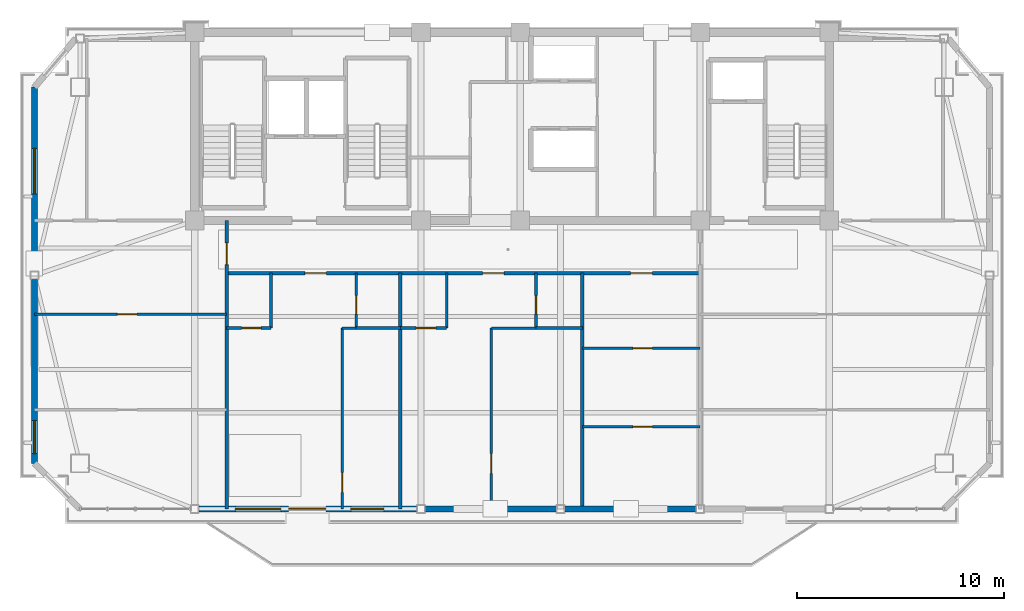
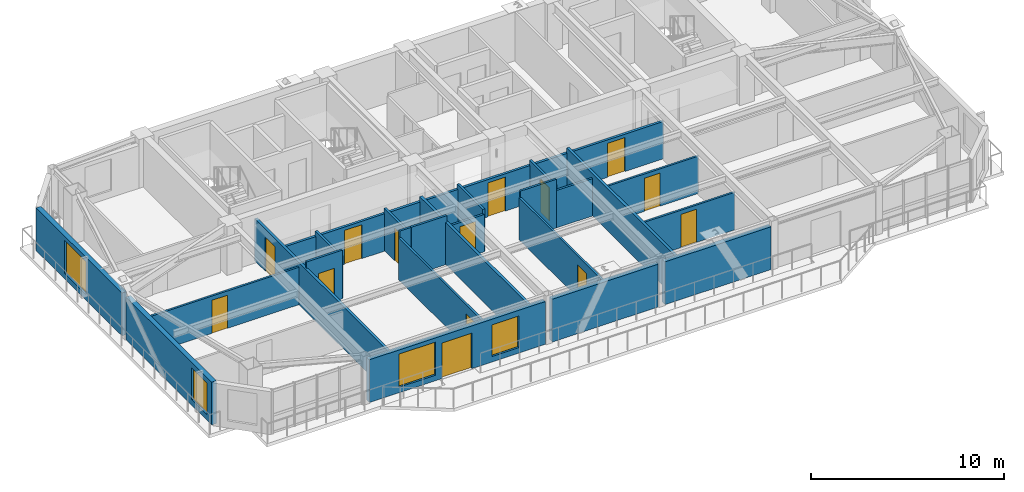
# One storey, part 6 of 13: 24 walls, 14 doors, 4 windows, 18 openings.
"""IFC4 building model written with IfcOpenShell, lengths in metres."""

import ifcopenshell
import ifcopenshell.guid

model = None  # the IFC model being written
_history = None  # IfcOwnerHistory: only IFC2X3 demands one
_inside = {}  # id of a spatial element -> (the spatial element, [elements in it])
_under = {}  # id of a project, library or spatial element -> (it, [spatial elements below it])
_declared = {}  # id of a project -> (the project, [libraries it declares])
_typed = {}  # id of a type object -> (the type object, [elements of that type])
_made_of = {}  # id of a material, layer set ... -> (it, [elements and type objects made of it])


def new_model(schema):
    """Start an empty IFC model of exactly this schema.

    Asked for "IFC4X3", IfcOpenShell would pick the latest addendum, in which some entities
    have other attributes; the version numbers below select the first issue.
    IFC2X3 requires an IfcOwnerHistory on every rooted entity: one is made here for all.
    """
    global model, _history
    if schema == "IFC4X3":
        model = ifcopenshell.file(schema_version=(4, 3, 0, 0))
    else:
        model = ifcopenshell.file(schema=schema)
    _inside.clear()
    _under.clear()
    _declared.clear()
    _typed.clear()
    _made_of.clear()
    _history = None
    if model.schema == "IFC2X3":
        org = make("IfcOrganization", Name="unknown")
        user = make(
            "IfcPersonAndOrganization",
            ThePerson=make("IfcPerson", FamilyName="unknown"),
            TheOrganization=org,
        )
        app = make(
            "IfcApplication",
            ApplicationDeveloper=org,
            Version="unknown",
            ApplicationFullName="unknown",
            ApplicationIdentifier="unknown",
        )
        _history = make(
            "IfcOwnerHistory",
            OwningUser=user,
            OwningApplication=app,
            ChangeAction="ADDED",
            CreationDate=0,
        )
    return model


def make(cls, **values):
    """One entity of the class cls with the attributes given. An attribute that is None is left unset."""
    return model.create_entity(
        cls, **{name: value for name, value in values.items() if value is not None}
    )


def rooted(cls, **values):
    """An entity with a GlobalId (a new one), such as an element, a storey or a relation."""
    return make(cls, GlobalId=ifcopenshell.guid.new(), OwnerHistory=_history, **values)


def si_unit(unit_type, name, prefix=None):
    """IfcSIUnit, for example si_unit("LENGTHUNIT", "METRE", prefix="MILLI")."""
    return make("IfcSIUnit", UnitType=unit_type, Prefix=prefix, Name=name)


def assignment(units):
    """IfcUnitAssignment: the units of a project."""
    return None if units is None else make("IfcUnitAssignment", Units=units)


def point(xyz):
    """IfcCartesianPoint."""
    return None if xyz is None else make("IfcCartesianPoint", Coordinates=xyz)


def direction(xyz):
    """IfcDirection."""
    return None if xyz is None else make("IfcDirection", DirectionRatios=xyz)


def frame(location, z_axis=None, x_axis=None):
    """IfcAxis2Placement3D, a coordinate frame: its origin and axes. An axis left out is left unset."""
    return make(
        "IfcAxis2Placement3D",
        Location=point(location),
        Axis=direction(z_axis),
        RefDirection=direction(x_axis),
    )


def frame_2d(location, x_axis=None):
    """IfcAxis2Placement2D, a coordinate frame in the plane: its origin and x axis."""
    return make(
        "IfcAxis2Placement2D", Location=point(location), RefDirection=direction(x_axis)
    )


def origin():
    """The frame at (0, 0, 0) with its axes left unset."""
    return frame((0.0, 0.0, 0.0))


def place(relative_to, where):
    """IfcLocalPlacement: puts the frame where relative to a parent placement (None: the world)."""
    return make(
        "IfcLocalPlacement", PlacementRelTo=relative_to, RelativePlacement=where
    )


def context(
    kind, dimensions, precision=None, world=None, true_north=None, identifier=None
):
    """IfcGeometricRepresentationContext, for example the 3D "Model" context."""
    return make(
        "IfcGeometricRepresentationContext",
        ContextIdentifier=identifier,
        ContextType=kind,
        CoordinateSpaceDimension=dimensions,
        Precision=precision,
        WorldCoordinateSystem=world,
        TrueNorth=true_north,
    )


def subcontext(parent, identifier, kind, view, scale=None):
    """IfcGeometricRepresentationSubContext, for example "Body" below "Model"."""
    return make(
        "IfcGeometricRepresentationSubContext",
        ContextIdentifier=identifier,
        ContextType=kind,
        ParentContext=parent,
        TargetScale=scale,
        TargetView=view,
    )


def project(units=None, contexts=None):
    """IfcProject with its units and contexts."""
    return rooted(
        "IfcProject",
        Name="project",
        RepresentationContexts=contexts,
        UnitsInContext=assignment(units),
    )


def spatial(cls, under=None, at=None, **own):
    """A site, building, storey or space (cls), placed at a placement, below another one or the project."""
    s = rooted(cls, ObjectPlacement=at, **own)
    if under is not None:
        _under.setdefault(under.id(), (under, []))[1].append(s)
    return s


def profile(cls, at=None, kind="AREA", **sizes):
    """A parametric profile (cls). Its sizes go by their IFC names, for example OverallWidth=200.0."""
    return make(cls, ProfileType=kind, Position=at, **sizes)


def rectangle(**sizes):
    """IfcRectangleProfileDef."""
    return profile("IfcRectangleProfileDef", **sizes)


def extrude(swept, where, along, depth):
    """IfcExtrudedAreaSolid: the profile swept, set in the frame where, extruded along a direction by depth."""
    return make(
        "IfcExtrudedAreaSolid",
        SweptArea=swept,
        Position=where,
        ExtrudedDirection=direction(along),
        Depth=depth,
    )


def shape(context_of_items, identifier, shape_type, items):
    """IfcShapeRepresentation: the items that make up one representation, for example the "Body"."""
    return make(
        "IfcShapeRepresentation",
        ContextOfItems=context_of_items,
        RepresentationIdentifier=identifier,
        RepresentationType=shape_type,
        Items=items,
    )


def source(mapping_origin, context_of_items, identifier, shape_type, items):
    """IfcRepresentationMap: a shape defined once, which mapped items show again and again."""
    return make(
        "IfcRepresentationMap",
        MappingOrigin=mapping_origin,
        MappedRepresentation=shape(context_of_items, identifier, shape_type, items),
    )


def transform(
    local_origin,
    x_axis=None,
    y_axis=None,
    z_axis=None,
    scale=None,
    scale2=None,
    scale3=None,
    uniform=True,
):
    """IfcCartesianTransformationOperator3D, or its non-uniform kind. x_axis, y_axis, z_axis: its Axis1, 2, 3."""
    if uniform:
        return make(
            "IfcCartesianTransformationOperator3D",
            Axis1=direction(x_axis),
            Axis2=direction(y_axis),
            LocalOrigin=point(local_origin),
            Scale=scale,
            Axis3=direction(z_axis),
        )
    return make(
        "IfcCartesianTransformationOperator3DnonUniform",
        Axis1=direction(x_axis),
        Axis2=direction(y_axis),
        LocalOrigin=point(local_origin),
        Scale=scale,
        Axis3=direction(z_axis),
        Scale2=scale2,
        Scale3=scale3,
    )


def mapped(mapping_source, mapping_target):
    """IfcMappedItem: shows the shape of a source again, moved by a transform."""
    return make(
        "IfcMappedItem", MappingSource=mapping_source, MappingTarget=mapping_target
    )


def material(Name=None, Category=None):
    """IfcMaterial."""
    return make("IfcMaterial", Name=Name, Category=Category)


def layer(
    of_material, thickness, ventilated=None, Name=None, Category=None, Priority=None
):
    """IfcMaterialLayer: one layer of a wall or slab, of a material (None: an air gap)."""
    return make(
        "IfcMaterialLayer",
        Material=of_material,
        LayerThickness=thickness,
        IsVentilated=ventilated,
        Name=Name,
        Category=Category,
        Priority=Priority,
    )


def layer_set(layers, Name=None):
    """IfcMaterialLayerSet."""
    return make("IfcMaterialLayerSet", MaterialLayers=layers, LayerSetName=Name)


def made_of(thing, what):
    """Note that an element or type object is made of a material, layer set ...; save() writes the relation."""
    if what is not None:
        _made_of.setdefault(what.id(), (what, []))[1].append(thing)
    return thing


def type_object(cls, material=None, **own):
    """A type object (cls), such as IfcWallType, which elements share."""
    return made_of(rooted(cls, **own), material)


def element(
    cls,
    number,
    at=None,
    inside=None,
    cuts=None,
    type_object=None,
    material=None,
    context=None,
    identifier="Body",
    shape_type=None,
    held_by="IfcProductDefinitionShape",
    body=None,
    shapes=None,
    **own,
):
    """One element of the class cls, such as IfcWall. Its Tag is "e" and its number.

    at: its placement. inside: the storey or other place that contains it. cuts: it is an
    opening in that element (IfcRelVoidsElement). A single representation is given by context,
    identifier, shape_type and body (its items); several are given by shapes. held_by: the class
    of the entity that holds the representations. save() writes the other relations.
    """
    e = rooted(cls, Tag="e%d" % number, ObjectPlacement=at, **own)
    if body is not None:
        shapes = [shape(context, identifier, shape_type, body)]
    if shapes is not None:
        e.Representation = make(held_by, Representations=shapes)
    if inside is not None:
        _inside.setdefault(inside.id(), (inside, []))[1].append(e)
    if cuts is not None:
        rooted(
            "IfcRelVoidsElement", RelatingBuildingElement=cuts, RelatedOpeningElement=e
        )
    if type_object is not None:
        _typed.setdefault(type_object.id(), (type_object, []))[1].append(e)
    return made_of(e, material)


def fill(opening, filler):
    """IfcRelFillsElement: the door or window that sits in an opening."""
    return rooted(
        "IfcRelFillsElement",
        RelatingOpeningElement=opening,
        RelatedBuildingElement=filler,
    )


def aggregate(whole, parts):
    """IfcRelAggregates: a whole, such as a stair, and the parts it consists of."""
    return rooted("IfcRelAggregates", RelatingObject=whole, RelatedObjects=parts)


def save(model, path):
    """Write the relations noted so far, then the file.

    IfcRelAggregates (storeys below a building ...), IfcRelContainedInSpatialStructure (elements
    in a storey), IfcRelDefinesByType, IfcRelAssociatesMaterial and IfcRelDeclares: one each for
    every whole, place, type object, material and project.
    """
    for whole, parts in _under.values():
        aggregate(whole, parts)
    for where, things in _inside.values():
        rooted(
            "IfcRelContainedInSpatialStructure",
            RelatedElements=things,
            RelatingStructure=where,
        )
    for kind, things in _typed.values():
        rooted("IfcRelDefinesByType", RelatedObjects=things, RelatingType=kind)
    for what, things in _made_of.values():
        rooted("IfcRelAssociatesMaterial", RelatedObjects=things, RelatingMaterial=what)
    for by, libraries in _declared.values():
        rooted("IfcRelDeclares", RelatingContext=by, RelatedDefinitions=libraries)
    model.write(path)


model = new_model("IFC4")

# Units and contexts
model_context = context("Model", 3, precision=1e-05, world=origin(), true_north=direction((0.0, 1.0)))
body_context = subcontext(model_context, "Body", "Model", "MODEL_VIEW")
ifc_project = project(units=[si_unit("LENGTHUNIT", "METRE"), si_unit("AREAUNIT", "SQUARE_METRE"), si_unit("VOLUMEUNIT", "CUBIC_METRE"), si_unit("PLANEANGLEUNIT", "RADIAN"), si_unit("MASSUNIT", "GRAM", prefix="KILO")], contexts=[model_context])

# Site, building, storey
site_placement = place(None, origin())
site = spatial("IfcSite", under=ifc_project, at=site_placement, CompositionType="ELEMENT")
building_placement = place(site_placement, origin())
building = spatial("IfcBuilding", under=site, at=building_placement, Name="Giltprow Tower", CompositionType="ELEMENT")
storey_placement = place(building_placement, frame((0.0, 0.0, 349.300048828125)))
storey = spatial("IfcBuildingStorey", under=building, at=storey_placement, Name="L91", CompositionType="ELEMENT", Elevation=349.300048828125)

# Wall, openings, windows, door
ifc_material_1 = material(Name="Precast concrete C40", Category="concrete")
ifc_layer_1 = layer(ifc_material_1, 0.280029296875, Name="Precast concrete C40")
ifc_layer_set_1 = layer_set([ifc_layer_1], Name="Precast concrete C40")
wall_type_1 = type_object("IfcWallType", Name="EW-TOW-BRONZE-280", PredefinedType="SOLIDWALL", material=ifc_layer_set_1)
wall_1_placement = place(storey_placement, frame((20.050048828125, 23.5, 0.0), z_axis=(0.0, 0.0, 1.0), x_axis=(1.0, 0.0, 0.0)))
wall_1 = element("IfcWall", 1, at=wall_1_placement, inside=storey, type_object=wall_type_1, Name="L91 South Expressed Frame Wall 2", PredefinedType="SOLIDWALL", context=body_context, shape_type="SweptSolid", body=[
    extrude(rectangle(XDim=10.550048828125, YDim=0.280029296875, at=frame_2d((5.27490234375, 0.0))), origin(), (0.0, 0.0, 1.0), 2.7099609375),
])
opening_1_placement = place(wall_1_placement, frame((4.35009765625, 0.0, 0.0)))
opening_1 = element("IfcOpeningElement", 2, at=opening_1_placement, cuts=wall_1, Name="Opening ED25", PredefinedType="OPENING", context=body_context, shape_type="SweptSolid", body=[
    extrude(rectangle(XDim=1.800048828125, YDim=2.25, at=frame_2d((0.89990234375, 1.125))), frame((0.0, 0.14990234375, 0.0), z_axis=(0.0, -1.0, 0.0), x_axis=(1.0, 0.0, 0.0)), (0.0, 0.0, 1.0), 0.300048828125),
])
opening_2_placement = place(wall_1_placement, frame((1.77001953125, 0.0, 0.35009765625)))
opening_2 = element("IfcOpeningElement", 3, at=opening_2_placement, cuts=wall_1, Name="Opening WN27", PredefinedType="OPENING", context=body_context, shape_type="SweptSolid", body=[
    extrude(rectangle(XDim=2.199951171875, YDim=2.10009765625, at=frame_2d((1.10009765625, 1.050048828125))), frame((0.0, 0.14990234375, 0.0), z_axis=(0.0, -1.0, 0.0), x_axis=(1.0, 0.0, 0.0)), (0.0, 0.0, 1.0), 0.300048828125),
])
opening_3_placement = place(wall_1_placement, frame((7.35009765625, 0.0, 0.35009765625)))
opening_3 = element("IfcOpeningElement", 4, at=opening_3_placement, cuts=wall_1, Name="Opening WN17", PredefinedType="OPENING", context=body_context, shape_type="SweptSolid", body=[
    extrude(rectangle(XDim=1.60009765625, YDim=2.0, at=frame_2d((0.800048828125, 1.0))), frame((0.0, 0.14990234375, 0.0), z_axis=(0.0, -1.0, 0.0), x_axis=(1.0, 0.0, 0.0)), (0.0, 0.0, 1.0), 0.300048828125),
])
ifc_material_2 = material(Name="Insulated glass", Category="glass")
window_type_1 = type_object("IfcWindowType", Name="WN-COR-1600x2000", PartitioningType="SINGLE_PANEL", PredefinedType="WINDOW", material=ifc_material_2)
shared_shape_1 = source(origin(), body_context, "Body", "SweptSolid", [
    extrude(rectangle(XDim=1.60009765625, YDim=2.0, at=frame_2d((0.800048828125, 1.0))), frame((0.0, 0.030029296875, 0.0), z_axis=(0.0, -1.0, 0.0), x_axis=(1.0, 0.0, 0.0)), (0.0, 0.0, 1.0), 0.06005859375),
])
window_1_placement = place(opening_3_placement, origin())
window_1 = element("IfcWindow", 5, at=window_1_placement, inside=storey, type_object=window_type_1, Name="L91 South Window 2B", OverallHeight=2.0, OverallWidth=1.60009765625, PartitioningType="SINGLE_PANEL", PredefinedType="WINDOW", context=body_context, shape_type="MappedRepresentation", body=[
    mapped(shared_shape_1, transform((0.0, 0.0, 0.0), x_axis=(1.0, 0.0, 0.0), y_axis=(0.0, 1.0, 0.0), z_axis=(0.0, 0.0, 1.0), scale=1.0)),
])
fill(opening_3, window_1)
ifc_material_3 = material(Name="Anodized bronze and glass", Category="glass")
door_type_1 = type_object("IfcDoorType", Name="DR-BALC-SLIDE-1800", OperationType="SLIDING_TO_LEFT", PredefinedType="DOOR", material=ifc_material_3)
shared_shape_2 = source(origin(), body_context, "Body", "SweptSolid", [
    extrude(rectangle(XDim=1.800048828125, YDim=2.25, at=frame_2d((0.89990234375, 1.125))), frame((0.0, 0.02490234375, 0.0), z_axis=(0.0, -1.0, 0.0), x_axis=(1.0, 0.0, 0.0)), (0.0, 0.0, 1.0), 0.050048828125),
])
door_1_placement = place(opening_1_placement, origin())
door_1 = element("IfcDoor", 6, at=door_1_placement, inside=storey, type_object=door_type_1, Name="L91 Waterfront Balcony Sliding Door 1", OperationType="SLIDING_TO_LEFT", OverallHeight=2.25, OverallWidth=1.800048828125, PredefinedType="DOOR", context=body_context, shape_type="MappedRepresentation", body=[
    mapped(shared_shape_2, transform((0.0, 0.0, 0.0), x_axis=(1.0, 0.0, 0.0), y_axis=(0.0, 1.0, 0.0), z_axis=(0.0, 0.0, 1.0), scale=1.0)),
])
fill(opening_1, door_1)
window_type_2 = type_object("IfcWindowType", Name="WN-RES-2200x2100", PartitioningType="TRIPLE_PANEL_VERTICAL", PredefinedType="WINDOW", material=ifc_material_2)
shared_shape_3 = source(origin(), body_context, "Body", "SweptSolid", [
    extrude(rectangle(XDim=2.199951171875, YDim=2.10009765625, at=frame_2d((1.10009765625, 1.050048828125))), frame((0.0, 0.030029296875, 0.0), z_axis=(0.0, -1.0, 0.0), x_axis=(1.0, 0.0, 0.0)), (0.0, 0.0, 1.0), 0.06005859375),
])
window_2_placement = place(opening_2_placement, origin())
window_2 = element("IfcWindow", 7, at=window_2_placement, inside=storey, type_object=window_type_2, Name="L91 South Window 2A", OverallHeight=2.10009765625, OverallWidth=2.199951171875, PartitioningType="SINGLE_PANEL", PredefinedType="WINDOW", context=body_context, shape_type="MappedRepresentation", body=[
    mapped(shared_shape_3, transform((0.0, 0.0, 0.0), x_axis=(1.0, 0.0, 0.0), y_axis=(0.0, 1.0, 0.0), z_axis=(0.0, 0.0, 1.0), scale=1.0)),
])
fill(opening_2, window_2)

# Walls
for number, where, z_axis, x_axis, name in (
    (8, (31.0, 23.5, 0.0), (0.0, 0.0, 1.0), (1.0, 0.0, 0.0), "L91 South Expressed Frame Wall 3"),
    (9, (37.75, 23.5, 0.0), (0.0, 0.0, 1.0), (1.0, 0.0, 0.0), "L91 South Expressed Frame Wall 4"),
):
    element("IfcWall", number, at=place(storey_placement, frame(where, z_axis=z_axis, x_axis=x_axis)), inside=storey, type_object=wall_type_1, Name=name, PredefinedType="SOLIDWALL", context=body_context, shape_type="SweptSolid", body=[
        extrude(rectangle(XDim=6.35009765625, YDim=0.280029296875, at=frame_2d((3.175048828125, 0.0))), origin(), (0.0, 0.0, 1.0), 2.7099609375),
    ])

# Wall, opening, window
wall_2_placement = place(storey_placement, frame((12.10009765625, 25.699951171875, 0.0), z_axis=(0.0, 0.0, 1.0), x_axis=(0.0, 1.0, 0.0)))
wall_2 = element("IfcWall", 10, at=wall_2_placement, inside=storey, type_object=wall_type_1, Name="L91 W Wing Masonry Wall 1", PredefinedType="SOLIDWALL", context=body_context, shape_type="SweptSolid", body=[
    extrude(rectangle(XDim=8.900146484375, YDim=0.280029296875, at=frame_2d((4.4501953125, 0.0))), origin(), (0.0, 0.0, 1.0), 2.7099609375),
])
opening_4_placement = place(wall_2_placement, frame((0.468017578125, 0.0, 0.35009765625)))
opening_4 = element("IfcOpeningElement", 11, at=opening_4_placement, cuts=wall_2, Name="Opening WN17", PredefinedType="OPENING", context=body_context, shape_type="SweptSolid", body=[
    extrude(rectangle(XDim=1.60009765625, YDim=2.0, at=frame_2d((0.800048828125, 1.0))), frame((0.0, 0.14990234375, 0.0), z_axis=(0.0, -1.0, 0.0), x_axis=(1.0, 0.0, 0.0)), (0.0, 0.0, 1.0), 0.300048828125),
])
window_3_placement = place(opening_4_placement, origin())
window_3 = element("IfcWindow", 12, at=window_3_placement, inside=storey, type_object=window_type_1, Name="L91 W Wing Window 1-1", OverallHeight=2.0, OverallWidth=1.60009765625, PartitioningType="SINGLE_PANEL", PredefinedType="WINDOW", context=body_context, shape_type="MappedRepresentation", body=[
    mapped(shared_shape_1, transform((0.0, 0.0, 0.0), x_axis=(1.0, 0.0, 0.0), y_axis=(0.0, 1.0, 0.0), z_axis=(0.0, 0.0, 1.0), scale=1.0)),
])
fill(opening_4, window_3)

wall_3_placement = place(storey_placement, frame((12.10009765625, 35.0, 0.0), z_axis=(0.0, 0.0, 1.0), x_axis=(0.0, 1.0, 0.0)))
wall_3 = element("IfcWall", 13, at=wall_3_placement, inside=storey, type_object=wall_type_1, Name="L91 W Wing Masonry Wall 2", PredefinedType="SOLIDWALL", context=body_context, shape_type="SweptSolid", body=[
    extrude(rectangle(XDim=8.89990234375, YDim=0.280029296875, at=frame_2d((4.449951171875, 0.0))), origin(), (0.0, 0.0, 1.0), 2.7099609375),
])
opening_5_placement = place(wall_3_placement, frame((3.73388671875, 0.0, 0.35009765625)))
opening_5 = element("IfcOpeningElement", 14, at=opening_5_placement, cuts=wall_3, Name="Opening WN27", PredefinedType="OPENING", context=body_context, shape_type="SweptSolid", body=[
    extrude(rectangle(XDim=2.199951171875, YDim=2.10009765625, at=frame_2d((1.10009765625, 1.050048828125))), frame((0.0, 0.14990234375, 0.0), z_axis=(0.0, -1.0, 0.0), x_axis=(1.0, 0.0, 0.0)), (0.0, 0.0, 1.0), 0.300048828125),
])
window_4_placement = place(opening_5_placement, origin())
window_4 = element("IfcWindow", 15, at=window_4_placement, inside=storey, type_object=window_type_2, Name="L91 W Wing Window 2-1", OverallHeight=2.10009765625, OverallWidth=2.199951171875, PartitioningType="SINGLE_PANEL", PredefinedType="WINDOW", context=body_context, shape_type="MappedRepresentation", body=[
    mapped(shared_shape_3, transform((0.0, 0.0, 0.0), x_axis=(1.0, 0.0, 0.0), y_axis=(0.0, 1.0, 0.0), z_axis=(0.0, 0.0, 1.0), scale=1.0)),
])
fill(opening_5, window_4)

# Wall, openings, doors
ifc_material_4 = material(Name="Gypsum stud partition", Category="gypsum")
ifc_layer_2 = layer(ifc_material_4, 0.14990234375, Name="Gypsum stud partition")
ifc_layer_set_2 = layer_set([ifc_layer_2], Name="Gypsum stud partition")
wall_type_2 = type_object("IfcWallType", Name="IW-CORR-150", PredefinedType="PARTITIONING", material=ifc_layer_set_2)
wall_4_placement = place(storey_placement, frame((21.39990234375, 34.89990234375, 0.0), z_axis=(0.0, 0.0, 1.0), x_axis=(1.0, 0.0, 0.0)))
wall_4 = element("IfcWall", 16, at=wall_4_placement, inside=storey, type_object=wall_type_2, Name="L91 Residence Gallery Corridor Wall", PredefinedType="PARTITIONING", context=body_context, shape_type="SweptSolid", body=[
    extrude(rectangle(XDim=22.900146484375, YDim=0.14990234375, at=frame_2d((11.4501953125, 0.0))), origin(), (0.0, 0.0, 1.0), 2.364990234375),
])
opening_6_placement = place(wall_4_placement, frame((3.77490234375, 0.0, 0.0)))
opening_6 = element("IfcOpeningElement", 17, at=opening_6_placement, cuts=wall_4, Name="Opening ID31", PredefinedType="OPENING", context=body_context, shape_type="SweptSolid", body=[
    extrude(rectangle(XDim=1.050048828125, YDim=2.14990234375, at=frame_2d((0.52490234375, 1.074951171875))), frame((0.0, 0.0849609375, 0.0), z_axis=(0.0, -1.0, 0.0), x_axis=(1.0, 0.0, 0.0)), (0.0, 0.0, 1.0), 0.169921875),
])
opening_7_placement = place(wall_4_placement, frame((12.375, 0.0, 0.0)))
opening_7 = element("IfcOpeningElement", 18, at=opening_7_placement, cuts=wall_4, Name="Opening ID31", PredefinedType="OPENING", context=body_context, shape_type="SweptSolid", body=[
    extrude(rectangle(XDim=1.050048828125, YDim=2.14990234375, at=frame_2d((0.52490234375, 1.074951171875))), frame((0.0, 0.0849609375, 0.0), z_axis=(0.0, -1.0, 0.0), x_axis=(1.0, 0.0, 0.0)), (0.0, 0.0, 1.0), 0.169921875),
])
opening_8_placement = place(wall_4_placement, frame((19.534912109375, 0.0, 0.0)))
opening_8 = element("IfcOpeningElement", 19, at=opening_8_placement, cuts=wall_4, Name="Opening ID31", PredefinedType="OPENING", context=body_context, shape_type="SweptSolid", body=[
    extrude(rectangle(XDim=1.050048828125, YDim=2.14990234375, at=frame_2d((0.52490234375, 1.074951171875))), frame((0.0, 0.0849609375, 0.0), z_axis=(0.0, -1.0, 0.0), x_axis=(1.0, 0.0, 0.0)), (0.0, 0.0, 1.0), 0.169921875),
])
ifc_material_5 = material(Name="Engineered timber", Category="wood")
door_type_2 = type_object("IfcDoorType", Name="DR-SUITE-1050", OperationType="SINGLE_SWING_LEFT", PredefinedType="DOOR", material=ifc_material_5)
shared_shape_4 = source(origin(), body_context, "Body", "SweptSolid", [
    extrude(rectangle(XDim=1.050048828125, YDim=2.14990234375, at=frame_2d((0.52490234375, 1.074951171875))), frame((0.0, 0.02490234375, 0.0), z_axis=(0.0, -1.0, 0.0), x_axis=(1.0, 0.0, 0.0)), (0.0, 0.0, 1.0), 0.050048828125),
])
door_2_placement = place(opening_6_placement, origin())
door_2 = element("IfcDoor", 20, at=door_2_placement, inside=storey, type_object=door_type_2, Name="L91 Unit 1 Entrance Door", OperationType="SINGLE_SWING_LEFT", OverallHeight=2.14990234375, OverallWidth=1.050048828125, PredefinedType="DOOR", context=body_context, shape_type="MappedRepresentation", body=[
    mapped(shared_shape_4, transform((0.0, 0.0, 0.0), x_axis=(1.0, 0.0, 0.0), y_axis=(0.0, 1.0, 0.0), z_axis=(0.0, 0.0, 1.0), scale=1.0)),
])
fill(opening_6, door_2)
door_3_placement = place(opening_7_placement, origin())
door_3 = element("IfcDoor", 21, at=door_3_placement, inside=storey, type_object=door_type_2, Name="L91 Unit 2 Entrance Door", OperationType="SINGLE_SWING_LEFT", OverallHeight=2.14990234375, OverallWidth=1.050048828125, PredefinedType="DOOR", context=body_context, shape_type="MappedRepresentation", body=[
    mapped(shared_shape_4, transform((0.0, 0.0, 0.0), x_axis=(1.0, 0.0, 0.0), y_axis=(0.0, 1.0, 0.0), z_axis=(0.0, 0.0, 1.0), scale=1.0)),
])
fill(opening_7, door_3)
door_4_placement = place(opening_8_placement, origin())
door_4 = element("IfcDoor", 22, at=door_4_placement, inside=storey, type_object=door_type_2, Name="L91 Residents Sky Club Lounge North Door", OperationType="SINGLE_SWING_LEFT", OverallHeight=2.14990234375, OverallWidth=1.050048828125, PredefinedType="DOOR", context=body_context, shape_type="MappedRepresentation", body=[
    mapped(shared_shape_4, transform((0.0, 0.0, 0.0), x_axis=(1.0, 0.0, 0.0), y_axis=(0.0, 1.0, 0.0), z_axis=(0.0, 0.0, 1.0), scale=1.0)),
])
fill(opening_8, door_4)

# Wall, opening, door
ifc_layer_3 = layer(ifc_material_4, 0.159912109375, Name="Gypsum stud partition")
ifc_layer_set_3 = layer_set([ifc_layer_3], Name="Gypsum stud partition")
wall_type_3 = type_object("IfcWallType", Name="IW-DEMISE-160", PredefinedType="PARTITIONING", material=ifc_layer_set_3)
wall_5_placement = place(storey_placement, frame((21.39990234375, 23.5, 0.0), z_axis=(0.0, 0.0, 1.0), x_axis=(0.0, 1.0, 0.0)))
wall_5 = element("IfcWall", 23, at=wall_5_placement, inside=storey, type_object=wall_type_3, Name="L91 Apartment Party Wall 1", PredefinedType="PARTITIONING", context=body_context, shape_type="SweptSolid", body=[
    extrude(rectangle(XDim=13.949951171875, YDim=0.159912109375, at=frame_2d((6.97509765625, 0.0))), origin(), (0.0, 0.0, 1.0), 2.6650390625),
])
opening_9_placement = place(wall_5_placement, frame((11.820068359375, 0.0, 0.0)))
opening_9 = element("IfcOpeningElement", 24, at=opening_9_placement, cuts=wall_5, Name="Opening ID31", PredefinedType="OPENING", context=body_context, shape_type="SweptSolid", body=[
    extrude(rectangle(XDim=1.050048828125, YDim=2.14990234375, at=frame_2d((0.52490234375, 1.074951171875))), frame((0.0, 0.08984375, 0.0), z_axis=(0.0, -1.0, 0.0), x_axis=(1.0, 0.0, 0.0)), (0.0, 0.0, 1.0), 0.179931640625),
])
door_5_placement = place(opening_9_placement, origin())
door_5 = element("IfcDoor", 25, at=door_5_placement, inside=storey, type_object=door_type_2, Name="L91 Penthouse Briefing Meeting Room 1 Corridor End Door", OperationType="SINGLE_SWING_RIGHT", OverallHeight=2.14990234375, OverallWidth=1.050048828125, PredefinedType="DOOR", context=body_context, shape_type="MappedRepresentation", body=[
    mapped(shared_shape_4, transform((0.0, 0.0, 0.0), x_axis=(1.0, 0.0, 0.0), y_axis=(0.0, 1.0, 0.0), z_axis=(0.0, 0.0, 1.0), scale=1.0)),
])
fill(opening_9, door_5)

# Walls
for number, where, z_axis, x_axis, name in (
    (26, (29.800048828125, 23.5, 0.0), (0.0, 0.0, 1.0), (0.0, 1.0, 0.0), "L91 Apartment Party Wall 2"),
    (27, (38.60009765625, 23.5, 0.0), (0.0, 0.0, 1.0), (0.0, 1.0, 0.0), "L91 Apartment Party Wall 3"),
):
    element("IfcWall", number, at=place(storey_placement, frame(where, z_axis=z_axis, x_axis=x_axis)), inside=storey, type_object=wall_type_3, Name=name, PredefinedType="PARTITIONING", context=body_context, shape_type="SweptSolid", body=[
        extrude(rectangle(XDim=11.39990234375, YDim=0.159912109375, at=frame_2d((5.699951171875, 0.0))), origin(), (0.0, 0.0, 1.0), 2.6650390625),
    ])

# Wall, opening, door
ifc_layer_4 = layer(ifc_material_4, 0.1201171875, Name="Gypsum stud partition")
ifc_layer_set_4 = layer_set([ifc_layer_4], Name="Gypsum stud partition")
wall_type_4 = type_object("IfcWallType", Name="IW-ROOM-120", PredefinedType="PARTITIONING", material=ifc_layer_set_4)
wall_6_placement = place(storey_placement, frame((12.10009765625, 32.9140625, 0.0), z_axis=(0.0, 0.0, 1.0), x_axis=(1.0, 0.0, 0.0)))
wall_6 = element("IfcWall", 28, at=wall_6_placement, inside=storey, type_object=wall_type_4, Name="L91 Special Split 2", PredefinedType="PARTITIONING", context=body_context, shape_type="SweptSolid", body=[
    extrude(rectangle(XDim=9.2998046875, YDim=0.1201171875, at=frame_2d((4.64990234375, 0.0))), origin(), (0.0, 0.0, 1.0), 2.364990234375),
])
opening_10_placement = place(wall_6_placement, frame((4.006103515625, 0.0, 0.0)))
opening_10 = element("IfcOpeningElement", 29, at=opening_10_placement, cuts=wall_6, Name="Opening ID11", PredefinedType="OPENING", context=body_context, shape_type="SweptSolid", body=[
    extrude(rectangle(XDim=0.949951171875, YDim=2.10009765625, at=frame_2d((0.47509765625, 1.050048828125))), frame((0.0, 0.070068359375, 0.0), z_axis=(0.0, -1.0, 0.0), x_axis=(1.0, 0.0, 0.0)), (0.0, 0.0, 1.0), 0.14013671875),
])
door_type_3 = type_object("IfcDoorType", Name="DR-ROOM-950", OperationType="SINGLE_SWING_RIGHT", PredefinedType="DOOR", material=ifc_material_5)
shared_shape_5 = source(origin(), body_context, "Body", "SweptSolid", [
    extrude(rectangle(XDim=0.949951171875, YDim=2.10009765625, at=frame_2d((0.47509765625, 1.050048828125))), frame((0.0, 0.02490234375, 0.0), z_axis=(0.0, -1.0, 0.0), x_axis=(1.0, 0.0, 0.0)), (0.0, 0.0, 1.0), 0.050048828125),
])
door_6_placement = place(opening_10_placement, origin())
door_6 = element("IfcDoor", 30, at=door_6_placement, inside=storey, type_object=door_type_3, Name="L91 Penthouse Briefing Meeting Room 1 Mid Door", OperationType="SINGLE_SWING_LEFT", OverallHeight=2.10009765625, OverallWidth=0.949951171875, PredefinedType="DOOR", context=body_context, shape_type="MappedRepresentation", body=[
    mapped(shared_shape_5, transform((0.0, 0.0, 0.0), x_axis=(1.0, 0.0, 0.0), y_axis=(0.0, 1.0, 0.0), z_axis=(0.0, 0.0, 1.0), scale=1.0)),
])
fill(opening_10, door_6)

# Wall
wall_7_placement = place(storey_placement, frame((26.97998046875, 32.25, 0.0), z_axis=(0.0, 0.0, 1.0), x_axis=(1.0, 0.0, 0.0)))
element("IfcWall", 31, at=wall_7_placement, inside=storey, type_object=wall_type_4, Name="L91 Unit 1 Bedroom North Wall", PredefinedType="PARTITIONING", context=body_context, shape_type="SweptSolid", body=[
    extrude(rectangle(XDim=0.679931640625, YDim=0.1201171875, at=frame_2d((0.33984375, 0.0))), origin(), (0.0, 0.0, 1.0), 3.079833984375),
])

# Wall, opening, door
wall_8_placement = place(storey_placement, frame((26.97998046875, 23.5, 0.0), z_axis=(0.0, 0.0, 1.0), x_axis=(0.0, 1.0, 0.0)))
wall_8 = element("IfcWall", 32, at=wall_8_placement, inside=storey, type_object=wall_type_4, Name="L91 Unit 1 Bedroom Wall", PredefinedType="PARTITIONING", context=body_context, shape_type="SweptSolid", body=[
    extrude(rectangle(XDim=8.75, YDim=0.1201171875, at=frame_2d((4.375, 0.0))), origin(), (0.0, 0.0, 1.0), 2.6650390625),
])
opening_11_placement = place(wall_8_placement, frame((0.800048828125, 0.0, 0.0)))
opening_11 = element("IfcOpeningElement", 33, at=opening_11_placement, cuts=wall_8, Name="Opening ID11", PredefinedType="OPENING", context=body_context, shape_type="SweptSolid", body=[
    extrude(rectangle(XDim=0.949951171875, YDim=2.10009765625, at=frame_2d((0.47509765625, 1.050048828125))), frame((0.0, 0.070068359375, 0.0), z_axis=(0.0, -1.0, 0.0), x_axis=(1.0, 0.0, 0.0)), (0.0, 0.0, 1.0), 0.14013671875),
])
door_7_placement = place(opening_11_placement, origin())
door_7 = element("IfcDoor", 34, at=door_7_placement, inside=storey, type_object=door_type_3, Name="L91 Unit 1 Primary Bedroom Door", OperationType="SINGLE_SWING_RIGHT", OverallHeight=2.10009765625, OverallWidth=0.949951171875, PredefinedType="DOOR", context=body_context, shape_type="MappedRepresentation", body=[
    mapped(shared_shape_5, transform((0.0, 0.0, 0.0), x_axis=(1.0, 0.0, 0.0), y_axis=(0.0, 1.0, 0.0), z_axis=(0.0, 0.0, 1.0), scale=1.0)),
])
fill(opening_11, door_7)

# Wall
wall_9_placement = place(storey_placement, frame((34.199951171875, 32.25, 0.0), z_axis=(0.0, 0.0, 1.0), x_axis=(1.0, 0.0, 0.0)))
element("IfcWall", 35, at=wall_9_placement, inside=storey, type_object=wall_type_4, Name="L91 Unit 2 Bedroom North Wall", PredefinedType="PARTITIONING", context=body_context, shape_type="SweptSolid", body=[
    extrude(rectangle(XDim=2.16015625, YDim=0.1201171875, at=frame_2d((1.080078125, 0.0))), origin(), (0.0, 0.0, 1.0), 3.079833984375),
])

# Wall, opening, door
wall_10_placement = place(storey_placement, frame((34.199951171875, 23.5, 0.0), z_axis=(0.0, 0.0, 1.0), x_axis=(0.0, 1.0, 0.0)))
wall_10 = element("IfcWall", 36, at=wall_10_placement, inside=storey, type_object=wall_type_4, Name="L91 Unit 2 Bedroom Wall", PredefinedType="PARTITIONING", context=body_context, shape_type="SweptSolid", body=[
    extrude(rectangle(XDim=8.75, YDim=0.1201171875, at=frame_2d((4.375, 0.0))), origin(), (0.0, 0.0, 1.0), 2.6650390625),
])
opening_12_placement = place(wall_10_placement, frame((1.719970703125, 0.0, 0.0)))
opening_12 = element("IfcOpeningElement", 37, at=opening_12_placement, cuts=wall_10, Name="Opening ID11", PredefinedType="OPENING", context=body_context, shape_type="SweptSolid", body=[
    extrude(rectangle(XDim=0.949951171875, YDim=2.10009765625, at=frame_2d((0.47509765625, 1.050048828125))), frame((0.0, 0.070068359375, 0.0), z_axis=(0.0, -1.0, 0.0), x_axis=(1.0, 0.0, 0.0)), (0.0, 0.0, 1.0), 0.14013671875),
])
door_8_placement = place(opening_12_placement, origin())
door_8 = element("IfcDoor", 38, at=door_8_placement, inside=storey, type_object=door_type_3, Name="L91 Unit 2 Primary Bedroom Door", OperationType="SINGLE_SWING_RIGHT", OverallHeight=2.10009765625, OverallWidth=0.949951171875, PredefinedType="DOOR", context=body_context, shape_type="MappedRepresentation", body=[
    mapped(shared_shape_5, transform((0.0, 0.0, 0.0), x_axis=(1.0, 0.0, 0.0), y_axis=(0.0, 1.0, 0.0), z_axis=(0.0, 0.0, 1.0), scale=1.0)),
])
fill(opening_12, door_8)

wall_11_placement = place(storey_placement, frame((38.60009765625, 27.48095703125, 0.0), z_axis=(0.0, 0.0, 1.0), x_axis=(1.0, 0.0, 0.0)))
wall_11 = element("IfcWall", 39, at=wall_11_placement, inside=storey, type_object=wall_type_4, Name="L91 Special Split 1", PredefinedType="PARTITIONING", context=body_context, shape_type="SweptSolid", body=[
    extrude(rectangle(XDim=5.699951171875, YDim=0.1201171875, at=frame_2d((2.85009765625, 0.0))), origin(), (0.0, 0.0, 1.0), 2.364990234375),
])
opening_13_placement = place(wall_11_placement, frame((2.446044921875, 0.0, 0.0)))
opening_13 = element("IfcOpeningElement", 40, at=opening_13_placement, cuts=wall_11, Name="Opening ID11", PredefinedType="OPENING", context=body_context, shape_type="SweptSolid", body=[
    extrude(rectangle(XDim=0.949951171875, YDim=2.10009765625, at=frame_2d((0.47509765625, 1.050048828125))), frame((0.0, 0.070068359375, 0.0), z_axis=(0.0, -1.0, 0.0), x_axis=(1.0, 0.0, 0.0)), (0.0, 0.0, 1.0), 0.14013671875),
])
door_9_placement = place(opening_13_placement, origin())
door_9 = element("IfcDoor", 41, at=door_9_placement, inside=storey, type_object=door_type_3, Name="L91 Residents Sky Club Lounge South Door", OperationType="SINGLE_SWING_LEFT", OverallHeight=2.10009765625, OverallWidth=0.949951171875, PredefinedType="DOOR", context=body_context, shape_type="MappedRepresentation", body=[
    mapped(shared_shape_5, transform((0.0, 0.0, 0.0), x_axis=(1.0, 0.0, 0.0), y_axis=(0.0, 1.0, 0.0), z_axis=(0.0, 0.0, 1.0), scale=1.0)),
])
fill(opening_13, door_9)

wall_12_placement = place(storey_placement, frame((38.60009765625, 31.261962890625, 0.0), z_axis=(0.0, 0.0, 1.0), x_axis=(1.0, 0.0, 0.0)))
wall_12 = element("IfcWall", 42, at=wall_12_placement, inside=storey, type_object=wall_type_4, Name="L91 Special Split 2", PredefinedType="PARTITIONING", context=body_context, shape_type="SweptSolid", body=[
    extrude(rectangle(XDim=5.699951171875, YDim=0.1201171875, at=frame_2d((2.85009765625, 0.0))), origin(), (0.0, 0.0, 1.0), 2.364990234375),
])
opening_14_placement = place(wall_12_placement, frame((2.446044921875, 0.0, 0.0)))
opening_14 = element("IfcOpeningElement", 43, at=opening_14_placement, cuts=wall_12, Name="Opening ID11", PredefinedType="OPENING", context=body_context, shape_type="SweptSolid", body=[
    extrude(rectangle(XDim=0.949951171875, YDim=2.10009765625, at=frame_2d((0.47509765625, 1.050048828125))), frame((0.0, 0.070068359375, 0.0), z_axis=(0.0, -1.0, 0.0), x_axis=(1.0, 0.0, 0.0)), (0.0, 0.0, 1.0), 0.14013671875),
])
door_10_placement = place(opening_14_placement, origin())
door_10 = element("IfcDoor", 44, at=door_10_placement, inside=storey, type_object=door_type_3, Name="L91 Residents Sky Club Lounge Mid Door", OperationType="SINGLE_SWING_RIGHT", OverallHeight=2.10009765625, OverallWidth=0.949951171875, PredefinedType="DOOR", context=body_context, shape_type="MappedRepresentation", body=[
    mapped(shared_shape_5, transform((0.0, 0.0, 0.0), x_axis=(1.0, 0.0, 0.0), y_axis=(0.0, 1.0, 0.0), z_axis=(0.0, 0.0, 1.0), scale=1.0)),
])
fill(opening_14, door_10)

ifc_material_6 = material(Name="Concrete C30", Category="concrete")
ifc_layer_5 = layer(ifc_material_6, 0.1298828125, Name="Concrete C30")
ifc_layer_set_5 = layer_set([ifc_layer_5], Name="Concrete C30")
wall_type_5 = type_object("IfcWallType", Name="IW-WET-130", PredefinedType="PARTITIONING", material=ifc_layer_set_5)
wall_13_placement = place(storey_placement, frame((21.39990234375, 32.25, 0.0), z_axis=(0.0, 0.0, 1.0), x_axis=(1.0, 0.0, 0.0)))
wall_13 = element("IfcWall", 45, at=wall_13_placement, inside=storey, type_object=wall_type_5, Name="L91 Unit 1 Kitchen South Wall", PredefinedType="PARTITIONING", context=body_context, shape_type="SweptSolid", body=[
    extrude(rectangle(XDim=2.14013671875, YDim=0.1298828125, at=frame_2d((1.070068359375, 0.0))), origin(), (0.0, 0.0, 1.0), 3.079833984375),
])
opening_15_placement = place(wall_13_placement, frame((0.715087890625, 0.0, 0.0)))
opening_15 = element("IfcOpeningElement", 46, at=opening_15_placement, cuts=wall_13, Name="Opening ID11", PredefinedType="OPENING", context=body_context, shape_type="SweptSolid", body=[
    extrude(rectangle(XDim=0.949951171875, YDim=2.10009765625, at=frame_2d((0.47509765625, 1.050048828125))), frame((0.0, 0.074951171875, 0.0), z_axis=(0.0, -1.0, 0.0), x_axis=(1.0, 0.0, 0.0)), (0.0, 0.0, 1.0), 0.14990234375),
])
door_11_placement = place(opening_15_placement, origin())
door_11 = element("IfcDoor", 47, at=door_11_placement, inside=storey, type_object=door_type_3, Name="L91 Unit 1 Kitchen Door", OperationType="SINGLE_SWING_RIGHT", OverallHeight=2.10009765625, OverallWidth=0.949951171875, PredefinedType="DOOR", context=body_context, shape_type="MappedRepresentation", body=[
    mapped(shared_shape_5, transform((0.0, 0.0, 0.0), x_axis=(1.0, 0.0, 0.0), y_axis=(0.0, 1.0, 0.0), z_axis=(0.0, 0.0, 1.0), scale=1.0)),
])
fill(opening_15, door_11)

# Walls
wall_14_placement = place(storey_placement, frame((23.5400390625, 32.25, 0.0), z_axis=(0.0, 0.0, 1.0), x_axis=(0.0, 1.0, 0.0)))
element("IfcWall", 48, at=wall_14_placement, inside=storey, type_object=wall_type_5, Name="L91 Unit 1 Kitchen East Wall", PredefinedType="PARTITIONING", context=body_context, shape_type="SweptSolid", body=[
    extrude(rectangle(XDim=2.64990234375, YDim=0.1298828125, at=frame_2d((1.324951171875, 0.0))), origin(), (0.0, 0.0, 1.0), 2.6650390625),
])
wall_15_placement = place(storey_placement, frame((27.659912109375, 32.25, 0.0), z_axis=(0.0, 0.0, 1.0), x_axis=(1.0, 0.0, 0.0)))
element("IfcWall", 49, at=wall_15_placement, inside=storey, type_object=wall_type_5, Name="L91 Unit 1 Bathroom South Wall", PredefinedType="PARTITIONING", context=body_context, shape_type="SweptSolid", body=[
    extrude(rectangle(XDim=2.14013671875, YDim=0.1298828125, at=frame_2d((1.070068359375, 0.0))), origin(), (0.0, 0.0, 1.0), 3.079833984375),
])

# Wall, opening, door
wall_16_placement = place(storey_placement, frame((27.659912109375, 32.25, 0.0), z_axis=(0.0, 0.0, 1.0), x_axis=(0.0, 1.0, 0.0)))
wall_16 = element("IfcWall", 50, at=wall_16_placement, inside=storey, type_object=wall_type_5, Name="L91 Unit 1 Bathroom West Wall", PredefinedType="PARTITIONING", context=body_context, shape_type="SweptSolid", body=[
    extrude(rectangle(XDim=2.64990234375, YDim=0.1298828125, at=frame_2d((1.324951171875, 0.0))), origin(), (0.0, 0.0, 1.0), 2.6650390625),
])
opening_16_placement = place(wall_16_placement, frame((0.669921875, 0.0, 0.0)))
opening_16 = element("IfcOpeningElement", 51, at=opening_16_placement, cuts=wall_16, Name="Opening ID15", PredefinedType="OPENING", context=body_context, shape_type="SweptSolid", body=[
    extrude(rectangle(XDim=0.89990234375, YDim=2.10009765625, at=frame_2d((0.449951171875, 1.050048828125))), frame((0.0, 0.074951171875, 0.0), z_axis=(0.0, -1.0, 0.0), x_axis=(1.0, 0.0, 0.0)), (0.0, 0.0, 1.0), 0.14990234375),
])
door_type_4 = type_object("IfcDoorType", Name="DR-WC-900", OperationType="SINGLE_SWING_LEFT", PredefinedType="DOOR", material=ifc_material_5)
shared_shape_6 = source(origin(), body_context, "Body", "SweptSolid", [
    extrude(rectangle(XDim=0.89990234375, YDim=2.10009765625, at=frame_2d((0.449951171875, 1.050048828125))), frame((0.0, 0.02490234375, 0.0), z_axis=(0.0, -1.0, 0.0), x_axis=(1.0, 0.0, 0.0)), (0.0, 0.0, 1.0), 0.050048828125),
])
door_12_placement = place(opening_16_placement, origin())
door_12 = element("IfcDoor", 52, at=door_12_placement, inside=storey, type_object=door_type_4, Name="L91 Unit 1 Bathroom Door", OperationType="SINGLE_SWING_LEFT", OverallHeight=2.10009765625, OverallWidth=0.89990234375, PredefinedType="DOOR", context=body_context, shape_type="MappedRepresentation", body=[
    mapped(shared_shape_6, transform((0.0, 0.0, 0.0), x_axis=(1.0, 0.0, 0.0), y_axis=(0.0, 1.0, 0.0), z_axis=(0.0, 0.0, 1.0), scale=1.0)),
])
fill(opening_16, door_12)

wall_17_placement = place(storey_placement, frame((29.800048828125, 32.25, 0.0), z_axis=(0.0, 0.0, 1.0), x_axis=(1.0, 0.0, 0.0)))
wall_17 = element("IfcWall", 53, at=wall_17_placement, inside=storey, type_object=wall_type_5, Name="L91 Unit 2 Kitchen South Wall", PredefinedType="PARTITIONING", context=body_context, shape_type="SweptSolid", body=[
    extrude(rectangle(XDim=2.239990234375, YDim=0.1298828125, at=frame_2d((1.1201171875, 0.0))), origin(), (0.0, 0.0, 1.0), 2.364990234375),
])
opening_17_placement = place(wall_17_placement, frame((0.764892578125, 0.0, 0.0)))
opening_17 = element("IfcOpeningElement", 54, at=opening_17_placement, cuts=wall_17, Name="Opening ID11", PredefinedType="OPENING", context=body_context, shape_type="SweptSolid", body=[
    extrude(rectangle(XDim=0.949951171875, YDim=2.10009765625, at=frame_2d((0.47509765625, 1.050048828125))), frame((0.0, 0.074951171875, 0.0), z_axis=(0.0, -1.0, 0.0), x_axis=(1.0, 0.0, 0.0)), (0.0, 0.0, 1.0), 0.14990234375),
])
door_13_placement = place(opening_17_placement, origin())
door_13 = element("IfcDoor", 55, at=door_13_placement, inside=storey, type_object=door_type_3, Name="L91 Unit 2 Kitchen Door", OperationType="SINGLE_SWING_RIGHT", OverallHeight=2.10009765625, OverallWidth=0.949951171875, PredefinedType="DOOR", context=body_context, shape_type="MappedRepresentation", body=[
    mapped(shared_shape_5, transform((0.0, 0.0, 0.0), x_axis=(1.0, 0.0, 0.0), y_axis=(0.0, 1.0, 0.0), z_axis=(0.0, 0.0, 1.0), scale=1.0)),
])
fill(opening_17, door_13)

# Walls
wall_18_placement = place(storey_placement, frame((32.0400390625, 32.25, 0.0), z_axis=(0.0, 0.0, 1.0), x_axis=(0.0, 1.0, 0.0)))
element("IfcWall", 56, at=wall_18_placement, inside=storey, type_object=wall_type_5, Name="L91 Unit 2 Kitchen East Wall", PredefinedType="PARTITIONING", context=body_context, shape_type="SweptSolid", body=[
    extrude(rectangle(XDim=2.64990234375, YDim=0.1298828125, at=frame_2d((1.324951171875, 0.0))), origin(), (0.0, 0.0, 1.0), 2.6650390625),
])
wall_19_placement = place(storey_placement, frame((36.360107421875, 32.25, 0.0), z_axis=(0.0, 0.0, 1.0), x_axis=(1.0, 0.0, 0.0)))
element("IfcWall", 57, at=wall_19_placement, inside=storey, type_object=wall_type_5, Name="L91 Unit 2 Bathroom South Wall", PredefinedType="PARTITIONING", context=body_context, shape_type="SweptSolid", body=[
    extrude(rectangle(XDim=2.239990234375, YDim=0.1298828125, at=frame_2d((1.1201171875, 0.0))), origin(), (0.0, 0.0, 1.0), 2.364990234375),
])

# Wall, opening, door
wall_20_placement = place(storey_placement, frame((36.360107421875, 32.25, 0.0), z_axis=(0.0, 0.0, 1.0), x_axis=(0.0, 1.0, 0.0)))
wall_20 = element("IfcWall", 58, at=wall_20_placement, inside=storey, type_object=wall_type_5, Name="L91 Unit 2 Bathroom West Wall", PredefinedType="PARTITIONING", context=body_context, shape_type="SweptSolid", body=[
    extrude(rectangle(XDim=2.64990234375, YDim=0.1298828125, at=frame_2d((1.324951171875, 0.0))), origin(), (0.0, 0.0, 1.0), 2.6650390625),
])
opening_18_placement = place(wall_20_placement, frame((0.669921875, 0.0, 0.0)))
opening_18 = element("IfcOpeningElement", 59, at=opening_18_placement, cuts=wall_20, Name="Opening ID15", PredefinedType="OPENING", context=body_context, shape_type="SweptSolid", body=[
    extrude(rectangle(XDim=0.89990234375, YDim=2.10009765625, at=frame_2d((0.449951171875, 1.050048828125))), frame((0.0, 0.074951171875, 0.0), z_axis=(0.0, -1.0, 0.0), x_axis=(1.0, 0.0, 0.0)), (0.0, 0.0, 1.0), 0.14990234375),
])
door_14_placement = place(opening_18_placement, origin())
door_14 = element("IfcDoor", 60, at=door_14_placement, inside=storey, type_object=door_type_4, Name="L91 Unit 2 Bathroom Door", OperationType="SINGLE_SWING_LEFT", OverallHeight=2.10009765625, OverallWidth=0.89990234375, PredefinedType="DOOR", context=body_context, shape_type="MappedRepresentation", body=[
    mapped(shared_shape_6, transform((0.0, 0.0, 0.0), x_axis=(1.0, 0.0, 0.0), y_axis=(0.0, 1.0, 0.0), z_axis=(0.0, 0.0, 1.0), scale=1.0)),
])
fill(opening_18, door_14)

save(model, "model.ifc")
